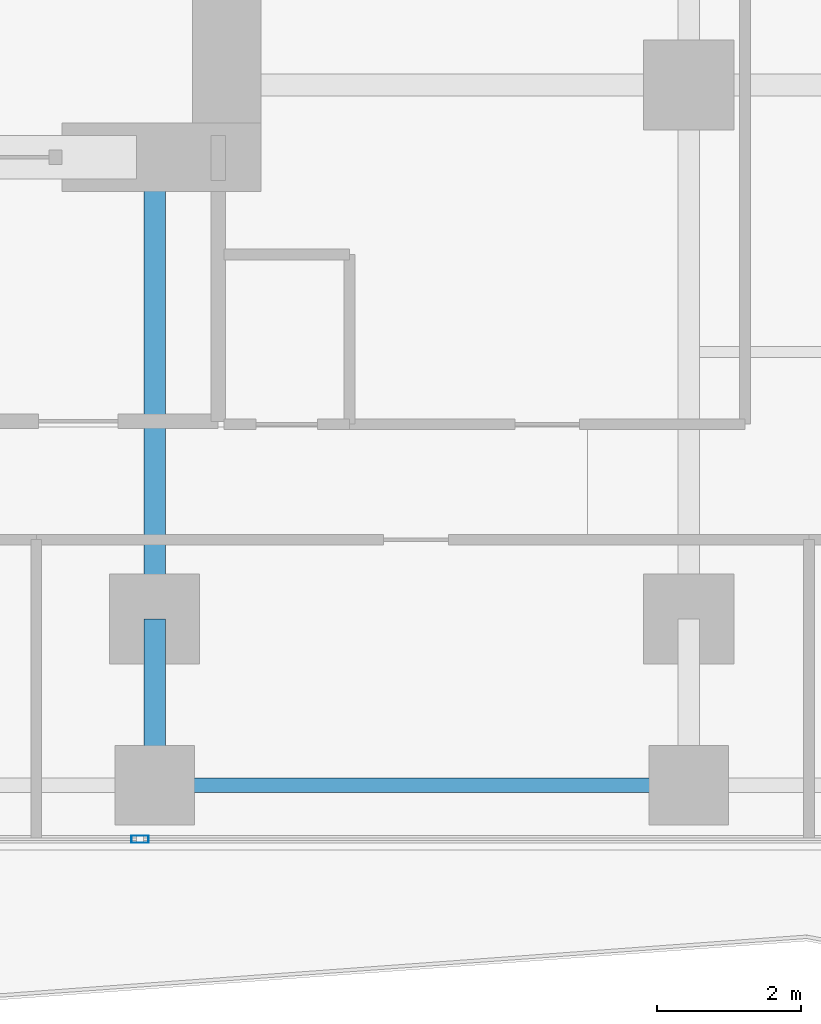
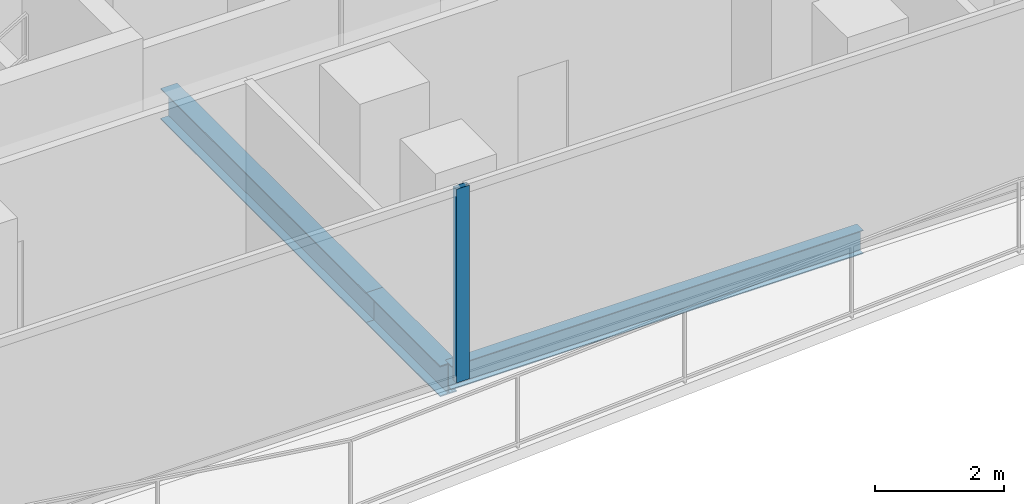
# One storey, part 4 of 26: 3 beams, 1 member, 1 element without a shape of its own.
"""IFC4 building model written with IfcOpenShell, lengths in metres."""

from ifc_helpers import new_model, si_unit, direction, frame, origin, origin_2d, place, context, subcontext, project, spatial, hollow_rectangle, i_section, extrude, material, layer, layer_set, material_profile, profile_set, type_object, element, aggregate, save


model = new_model("IFC4")

# Units and contexts
model_context = context("Model", 3, precision=1e-05, world=origin(), true_north=direction((0.0, 1.0)))
body_context = subcontext(model_context, "Body", "Model", "MODEL_VIEW")
ifc_project = project(units=[si_unit("LENGTHUNIT", "METRE"), si_unit("AREAUNIT", "SQUARE_METRE"), si_unit("VOLUMEUNIT", "CUBIC_METRE"), si_unit("PLANEANGLEUNIT", "RADIAN"), si_unit("MASSUNIT", "GRAM", prefix="KILO")], contexts=[model_context])

# Site, building, storey
site_placement = place(None, origin())
site = spatial("IfcSite", under=ifc_project, at=site_placement, CompositionType="ELEMENT")
building_placement = place(site_placement, origin())
building = spatial("IfcBuilding", under=site, at=building_placement, Name="Khorvyn Point Tower", CompositionType="ELEMENT")
storey_placement = place(building_placement, frame((0.0, 0.0, 113.39990234375)))
storey = spatial("IfcBuildingStorey", under=building, at=storey_placement, Name="L28", CompositionType="ELEMENT", Elevation=113.39990234375)

# Curtain wall, member
ifc_material_1 = material(Name="Anodised aluminium 6063-T6 and laminated Low-E glass", Category="aluminium")
ifc_layer = layer(ifc_material_1, 0.18994140625)
ifc_layer_set = layer_set([ifc_layer], Name="Stick-Built Acoustic Curtain Wall CW-SYS-03")
curtain_wall_type = type_object("IfcCurtainWallType", Name="Stick-Built Acoustic Curtain Wall CW-SYS-03", PredefinedType="NOTDEFINED", material=ifc_layer_set)
curtain_wall_placement = place(storey_placement, origin())
curtain_wall = element("IfcCurtainWall", 1, at=curtain_wall_placement, inside=storey, type_object=curtain_wall_type, Name="Curtain Wall", PredefinedType="NOTDEFINED")
ifc_material_2 = material(Name="Anodised aluminium 6063-T6", Category="aluminium")
ifc_material_profile_1 = material_profile(ifc_material_2, hollow_rectangle(XDim=0.10009765625, YDim=0.239990234375, WallThickness=0.0048828125, at=origin_2d()))
ifc_profile_set_1 = profile_set([ifc_material_profile_1], Name="Anodised aluminium 6063-T6 ALU-MUL-100x240")
member_type = type_object("IfcMemberType", Name="Anodised Aluminium 6063-T6 Mullion ALU-MUL-100x240", PredefinedType="MULLION", material=ifc_profile_set_1)
member_placement = place(storey_placement, frame((7.199462890625, -17.85009765625, 0.0), z_axis=(0.0, 0.0, 1.0), x_axis=(0.0, -1.0, 0.0)))
member = element("IfcMember", 2, at=member_placement, type_object=member_type, Name="Transom", PredefinedType="MULLION", context=body_context, shape_type="SweptSolid", body=[
    extrude(hollow_rectangle(XDim=0.10009765625, YDim=0.239990234375, WallThickness=0.0048828125, at=origin_2d()), origin(), (0.0, 0.0, 1.0), 3.68017578125),
])
aggregate(curtain_wall, [member])

# Beams
ifc_material_3 = material(Name="Steel S355", Category="steel")
ifc_material_profile_2 = material_profile(ifc_material_3, i_section(OverallWidth=0.300048828125, OverallDepth=0.587890625, WebThickness=0.011962890625, FlangeThickness=0.02001953125, at=origin_2d()))
ifc_profile_set_2 = profile_set([ifc_material_profile_2], Name="Steel S355 H588x300x12x20")
beam_type_1 = type_object("IfcBeamType", Name="Steel S355 Beam H588x300x12x20", PredefinedType="BEAM", material=ifc_profile_set_2)
beam_1_placement = place(storey_placement, frame((7.39990234375, -17.10009765625, -0.513916015625), z_axis=(0.0, 1.0, 0.0), x_axis=(-1.0, 0.0, 0.0)))
element("IfcBeam", 3, at=beam_1_placement, inside=storey, type_object=beam_type_1, Name="Beam", PredefinedType="BEAM", context=body_context, shape_type="SweptSolid", body=[
    extrude(i_section(OverallWidth=0.300048828125, OverallDepth=0.587890625, WebThickness=0.011962890625, FlangeThickness=0.02001953125, at=origin_2d()), origin(), (0.0, 0.0, 1.0), 2.300048828125),
])
beam_2_placement = place(storey_placement, frame((7.39990234375, -14.800048828125, -0.513916015625), z_axis=(0.0, 1.0, 0.0), x_axis=(-1.0, 0.0, 0.0)))
element("IfcBeam", 4, at=beam_2_placement, inside=storey, type_object=beam_type_1, Name="Beam", PredefinedType="BEAM", context=body_context, shape_type="SweptSolid", body=[
    extrude(i_section(OverallWidth=0.300048828125, OverallDepth=0.587890625, WebThickness=0.011962890625, FlangeThickness=0.02001953125, at=origin_2d()), origin(), (0.0, 0.0, 1.0), 6.400146484375),
])
ifc_material_profile_3 = material_profile(ifc_material_3, i_section(OverallWidth=0.199951171875, OverallDepth=0.449951171875, WebThickness=0.009033203125, FlangeThickness=0.013916015625, at=origin_2d()))
ifc_profile_set_3 = profile_set([ifc_material_profile_3], Name="Steel S355 H450x200x9x14")
beam_type_2 = type_object("IfcBeamType", Name="Steel S355 Spandrel H450x200x9x14", PredefinedType="SPANDREL", material=ifc_profile_set_3)
beam_3_placement = place(storey_placement, frame((7.39990234375, -17.10009765625, -0.44482421875), z_axis=(1.0, 0.0, 0.0), x_axis=(0.0, 1.0, 0.0)))
element("IfcBeam", 5, at=beam_3_placement, inside=storey, type_object=beam_type_2, Name="Beam", PredefinedType="SPANDREL", context=body_context, shape_type="SweptSolid", body=[
    extrude(i_section(OverallWidth=0.199951171875, OverallDepth=0.449951171875, WebThickness=0.009033203125, FlangeThickness=0.013916015625, at=origin_2d()), origin(), (0.0, 0.0, 1.0), 7.400146484375),
])

save(model, "model.ifc")
